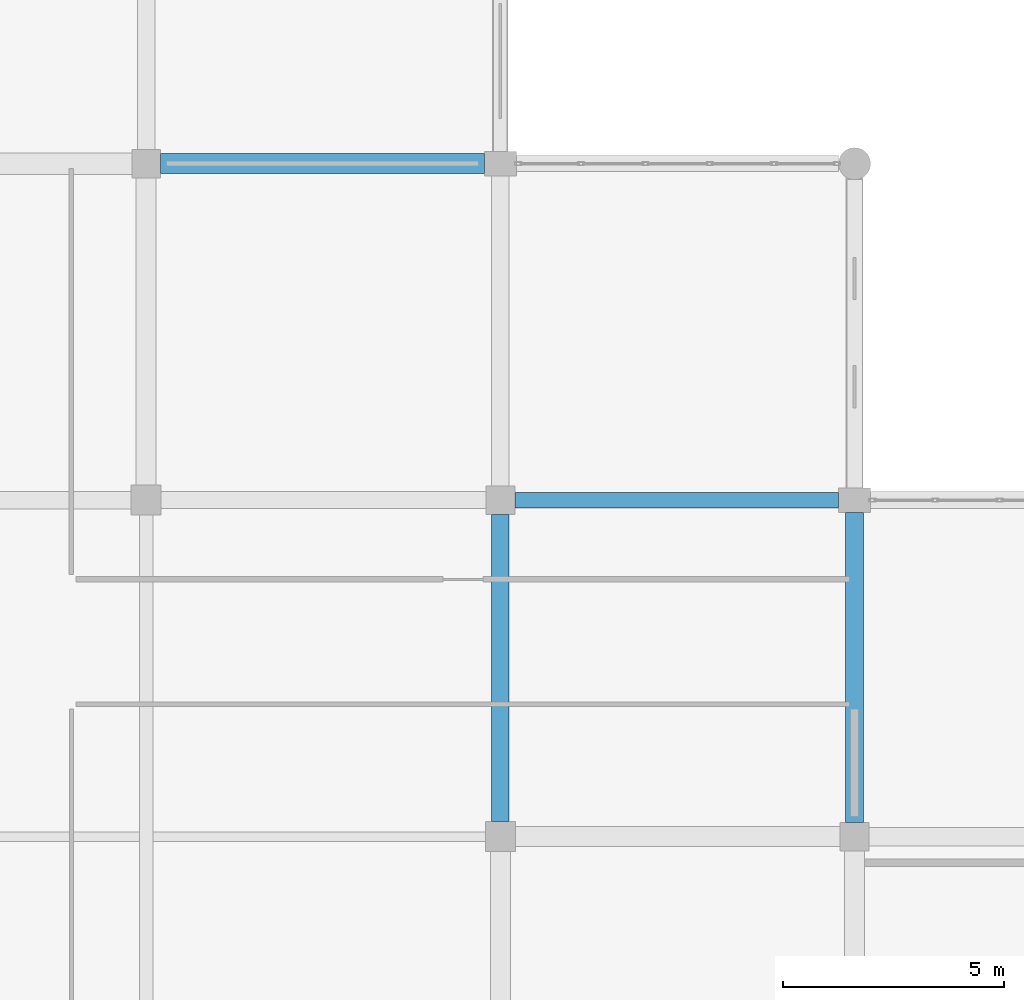
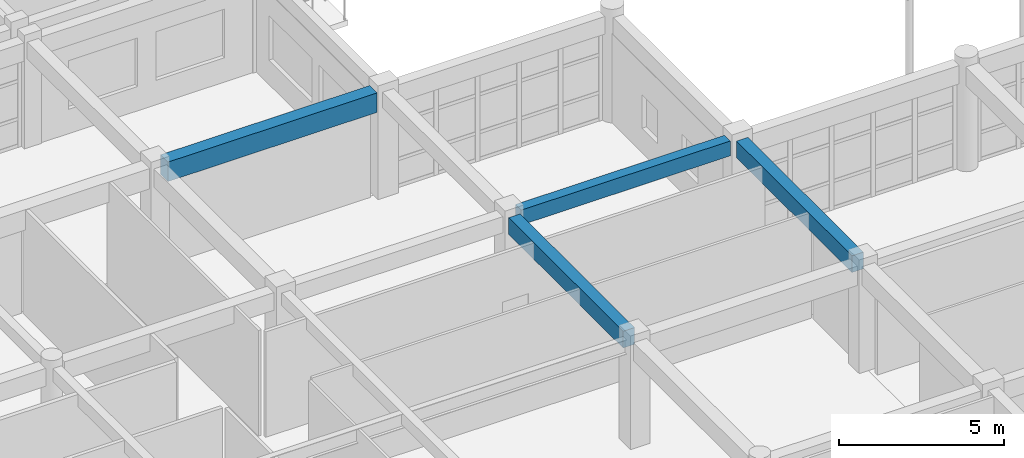
# One storey, part 43 of 195: 4 beams.
"""IFC4 building model written with IfcOpenShell, lengths in metres."""

import ifcopenshell
import ifcopenshell.guid

model = None  # the IFC model being written
_history = None  # IfcOwnerHistory: only IFC2X3 demands one
_inside = {}  # id of a spatial element -> (the spatial element, [elements in it])
_under = {}  # id of a project, library or spatial element -> (it, [spatial elements below it])
_declared = {}  # id of a project -> (the project, [libraries it declares])
_typed = {}  # id of a type object -> (the type object, [elements of that type])
_made_of = {}  # id of a material, layer set ... -> (it, [elements and type objects made of it])


def new_model(schema):
    """Start an empty IFC model of exactly this schema.

    Asked for "IFC4X3", IfcOpenShell would pick the latest addendum, in which some entities
    have other attributes; the version numbers below select the first issue.
    IFC2X3 requires an IfcOwnerHistory on every rooted entity: one is made here for all.
    """
    global model, _history
    if schema == "IFC4X3":
        model = ifcopenshell.file(schema_version=(4, 3, 0, 0))
    else:
        model = ifcopenshell.file(schema=schema)
    _inside.clear()
    _under.clear()
    _declared.clear()
    _typed.clear()
    _made_of.clear()
    _history = None
    if model.schema == "IFC2X3":
        org = make("IfcOrganization", Name="unknown")
        user = make(
            "IfcPersonAndOrganization",
            ThePerson=make("IfcPerson", FamilyName="unknown"),
            TheOrganization=org,
        )
        app = make(
            "IfcApplication",
            ApplicationDeveloper=org,
            Version="unknown",
            ApplicationFullName="unknown",
            ApplicationIdentifier="unknown",
        )
        _history = make(
            "IfcOwnerHistory",
            OwningUser=user,
            OwningApplication=app,
            ChangeAction="ADDED",
            CreationDate=0,
        )
    return model


def make(cls, **values):
    """One entity of the class cls with the attributes given. An attribute that is None is left unset."""
    return model.create_entity(
        cls, **{name: value for name, value in values.items() if value is not None}
    )


def rooted(cls, **values):
    """An entity with a GlobalId (a new one), such as an element, a storey or a relation."""
    return make(cls, GlobalId=ifcopenshell.guid.new(), OwnerHistory=_history, **values)


def si_unit(unit_type, name, prefix=None):
    """IfcSIUnit, for example si_unit("LENGTHUNIT", "METRE", prefix="MILLI")."""
    return make("IfcSIUnit", UnitType=unit_type, Prefix=prefix, Name=name)


def assignment(units):
    """IfcUnitAssignment: the units of a project."""
    return None if units is None else make("IfcUnitAssignment", Units=units)


def point(xyz):
    """IfcCartesianPoint."""
    return None if xyz is None else make("IfcCartesianPoint", Coordinates=xyz)


def direction(xyz):
    """IfcDirection."""
    return None if xyz is None else make("IfcDirection", DirectionRatios=xyz)


def frame(location, z_axis=None, x_axis=None):
    """IfcAxis2Placement3D, a coordinate frame: its origin and axes. An axis left out is left unset."""
    return make(
        "IfcAxis2Placement3D",
        Location=point(location),
        Axis=direction(z_axis),
        RefDirection=direction(x_axis),
    )


def frame_2d(location, x_axis=None):
    """IfcAxis2Placement2D, a coordinate frame in the plane: its origin and x axis."""
    return make(
        "IfcAxis2Placement2D", Location=point(location), RefDirection=direction(x_axis)
    )


def origin():
    """The frame at (0, 0, 0) with its axes left unset."""
    return frame((0.0, 0.0, 0.0))


def origin_2d():
    """The frame at (0, 0) in the plane with its x axis left unset."""
    return frame_2d((0.0, 0.0))


def place(relative_to, where):
    """IfcLocalPlacement: puts the frame where relative to a parent placement (None: the world)."""
    return make(
        "IfcLocalPlacement", PlacementRelTo=relative_to, RelativePlacement=where
    )


def context(
    kind, dimensions, precision=None, world=None, true_north=None, identifier=None
):
    """IfcGeometricRepresentationContext, for example the 3D "Model" context."""
    return make(
        "IfcGeometricRepresentationContext",
        ContextIdentifier=identifier,
        ContextType=kind,
        CoordinateSpaceDimension=dimensions,
        Precision=precision,
        WorldCoordinateSystem=world,
        TrueNorth=true_north,
    )


def subcontext(parent, identifier, kind, view, scale=None):
    """IfcGeometricRepresentationSubContext, for example "Body" below "Model"."""
    return make(
        "IfcGeometricRepresentationSubContext",
        ContextIdentifier=identifier,
        ContextType=kind,
        ParentContext=parent,
        TargetScale=scale,
        TargetView=view,
    )


def project(units=None, contexts=None):
    """IfcProject with its units and contexts."""
    return rooted(
        "IfcProject",
        Name="project",
        RepresentationContexts=contexts,
        UnitsInContext=assignment(units),
    )


def spatial(cls, under=None, at=None, **own):
    """A site, building, storey or space (cls), placed at a placement, below another one or the project."""
    s = rooted(cls, ObjectPlacement=at, **own)
    if under is not None:
        _under.setdefault(under.id(), (under, []))[1].append(s)
    return s


def profile(cls, at=None, kind="AREA", **sizes):
    """A parametric profile (cls). Its sizes go by their IFC names, for example OverallWidth=200.0."""
    return make(cls, ProfileType=kind, Position=at, **sizes)


def rectangle(**sizes):
    """IfcRectangleProfileDef."""
    return profile("IfcRectangleProfileDef", **sizes)


def extrude(swept, where, along, depth):
    """IfcExtrudedAreaSolid: the profile swept, set in the frame where, extruded along a direction by depth."""
    return make(
        "IfcExtrudedAreaSolid",
        SweptArea=swept,
        Position=where,
        ExtrudedDirection=direction(along),
        Depth=depth,
    )


def shape(context_of_items, identifier, shape_type, items):
    """IfcShapeRepresentation: the items that make up one representation, for example the "Body"."""
    return make(
        "IfcShapeRepresentation",
        ContextOfItems=context_of_items,
        RepresentationIdentifier=identifier,
        RepresentationType=shape_type,
        Items=items,
    )


def material(Name=None, Category=None):
    """IfcMaterial."""
    return make("IfcMaterial", Name=Name, Category=Category)


def material_profile(
    of_material, cross_section, Name=None, Category=None, Priority=None
):
    """IfcMaterialProfile: a cross section and its material."""
    return make(
        "IfcMaterialProfile",
        Name=Name,
        Material=of_material,
        Profile=cross_section,
        Priority=Priority,
        Category=Category,
    )


def profile_set(profiles, Name=None, composite=None):
    """IfcMaterialProfileSet."""
    return make(
        "IfcMaterialProfileSet",
        Name=Name,
        MaterialProfiles=profiles,
        CompositeProfile=composite,
    )


def made_of(thing, what):
    """Note that an element or type object is made of a material, layer set ...; save() writes the relation."""
    if what is not None:
        _made_of.setdefault(what.id(), (what, []))[1].append(thing)
    return thing


def type_object(cls, material=None, **own):
    """A type object (cls), such as IfcWallType, which elements share."""
    return made_of(rooted(cls, **own), material)


def element(
    cls,
    number,
    at=None,
    inside=None,
    cuts=None,
    type_object=None,
    material=None,
    context=None,
    identifier="Body",
    shape_type=None,
    held_by="IfcProductDefinitionShape",
    body=None,
    shapes=None,
    **own,
):
    """One element of the class cls, such as IfcWall. Its Tag is "e" and its number.

    at: its placement. inside: the storey or other place that contains it. cuts: it is an
    opening in that element (IfcRelVoidsElement). A single representation is given by context,
    identifier, shape_type and body (its items); several are given by shapes. held_by: the class
    of the entity that holds the representations. save() writes the other relations.
    """
    e = rooted(cls, Tag="e%d" % number, ObjectPlacement=at, **own)
    if body is not None:
        shapes = [shape(context, identifier, shape_type, body)]
    if shapes is not None:
        e.Representation = make(held_by, Representations=shapes)
    if inside is not None:
        _inside.setdefault(inside.id(), (inside, []))[1].append(e)
    if cuts is not None:
        rooted(
            "IfcRelVoidsElement", RelatingBuildingElement=cuts, RelatedOpeningElement=e
        )
    if type_object is not None:
        _typed.setdefault(type_object.id(), (type_object, []))[1].append(e)
    return made_of(e, material)


def aggregate(whole, parts):
    """IfcRelAggregates: a whole, such as a stair, and the parts it consists of."""
    return rooted("IfcRelAggregates", RelatingObject=whole, RelatedObjects=parts)


def save(model, path):
    """Write the relations noted so far, then the file.

    IfcRelAggregates (storeys below a building ...), IfcRelContainedInSpatialStructure (elements
    in a storey), IfcRelDefinesByType, IfcRelAssociatesMaterial and IfcRelDeclares: one each for
    every whole, place, type object, material and project.
    """
    for whole, parts in _under.values():
        aggregate(whole, parts)
    for where, things in _inside.values():
        rooted(
            "IfcRelContainedInSpatialStructure",
            RelatedElements=things,
            RelatingStructure=where,
        )
    for kind, things in _typed.values():
        rooted("IfcRelDefinesByType", RelatedObjects=things, RelatingType=kind)
    for what, things in _made_of.values():
        rooted("IfcRelAssociatesMaterial", RelatedObjects=things, RelatingMaterial=what)
    for by, libraries in _declared.values():
        rooted("IfcRelDeclares", RelatingContext=by, RelatedDefinitions=libraries)
    model.write(path)


model = new_model("IFC4")

# Units and contexts
model_context = context("Model", 3, precision=1e-05, world=origin(), true_north=direction((0.0, 1.0)))
body_context = subcontext(model_context, "Body", "Model", "MODEL_VIEW")
ifc_project = project(units=[si_unit("LENGTHUNIT", "METRE"), si_unit("AREAUNIT", "SQUARE_METRE"), si_unit("VOLUMEUNIT", "CUBIC_METRE"), si_unit("PLANEANGLEUNIT", "RADIAN"), si_unit("MASSUNIT", "GRAM", prefix="KILO")], contexts=[model_context])

# Site, building, storey
site_placement = place(None, origin())
site = spatial("IfcSite", under=ifc_project, at=site_placement, CompositionType="ELEMENT")
building_placement = place(site_placement, origin())
building = spatial("IfcBuilding", under=site, at=building_placement, Name="Kharva Crest Polytechnic", CompositionType="ELEMENT")
storey_placement = place(building_placement, frame((0.0, 0.0, 9.0)))
storey = spatial("IfcBuildingStorey", under=building, at=storey_placement, Name="L02", CompositionType="ELEMENT", Elevation=9.0)

# Beams
ifc_material = material(Name="Concrete C35/45", Category="concrete")
ifc_material_profile_1 = material_profile(ifc_material, rectangle(XDim=0.35009765625, YDim=0.550048828125, at=origin_2d()), Name="RECT 350 X 550")
ifc_profile_set_1 = profile_set([ifc_material_profile_1], Name="Concrete C35/45")
beam_type_1 = type_object("IfcBeamType", Name="BM-RC-350X550", PredefinedType="BEAM", material=ifc_profile_set_1)
beam_1_placement = place(storey_placement, frame((48.324951171875, 22.800048828125, 3.64501953125), z_axis=(1.0, 0.0, 0.0), x_axis=(0.0, 1.0, 0.0)))
element("IfcBeam", 1, at=beam_1_placement, inside=storey, type_object=beam_type_1, Name="L02 Beam D/7-8", PredefinedType="BEAM", context=body_context, shape_type="SweptSolid", body=[
    extrude(rectangle(XDim=0.35009765625, YDim=0.550048828125, at=origin_2d()), origin(), (0.0, 0.0, 1.0), 7.31494140625),
])
ifc_material_profile_2 = material_profile(ifc_material, rectangle(XDim=0.39990234375, YDim=0.6201171875, at=origin_2d()), Name="RECT 400 X 620")
ifc_profile_set_2 = profile_set([ifc_material_profile_2], Name="Concrete C35/45")
beam_type_2 = type_object("IfcBeamType", Name="BM-RC-400X620", PredefinedType="BEAM", material=ifc_profile_set_2)
beam_2_placement = place(storey_placement, frame((48.0, 15.5400390625, 3.610107421875), z_axis=(0.0, 1.0, 0.0), x_axis=(-1.0, 0.0, 0.0)))
element("IfcBeam", 2, at=beam_2_placement, inside=storey, type_object=beam_type_2, Name="L02 Girder 7/C-D", PredefinedType="BEAM", context=body_context, shape_type="SweptSolid", body=[
    extrude(rectangle(XDim=0.39990234375, YDim=0.6201171875, at=origin_2d()), origin(), (0.0, 0.0, 1.0), 6.93505859375),
])
beam_3_placement = place(storey_placement, frame((56.0, 15.52490234375, 3.610107421875), z_axis=(0.0, 1.0, 0.0), x_axis=(-1.0, 0.0, 0.0)))
element("IfcBeam", 3, at=beam_3_placement, inside=storey, type_object=beam_type_2, Name="L02 Girder 8/C-D", PredefinedType="BEAM", context=body_context, shape_type="SweptSolid", body=[
    extrude(rectangle(XDim=0.39990234375, YDim=0.6201171875, at=origin_2d()), origin(), (0.0, 0.0, 1.0), 7.0),
])
ifc_material_profile_3 = material_profile(ifc_material, rectangle(XDim=0.449951171875, YDim=0.719970703125, at=origin_2d()), Name="RECT 450 X 720")
ifc_profile_set_3 = profile_set([ifc_material_profile_3], Name="Concrete C35/45")
beam_type_3 = type_object("IfcBeamType", Name="BM-RC-450X720", PredefinedType="BEAM", material=ifc_profile_set_3)
beam_4_placement = place(storey_placement, frame((40.324951171875, 30.39990234375, 3.56005859375), z_axis=(1.0, 0.0, 0.0), x_axis=(0.0, 1.0, 0.0)))
element("IfcBeam", 4, at=beam_4_placement, inside=storey, type_object=beam_type_3, Name="L02 Beam E/6-7", PredefinedType="BEAM", context=body_context, shape_type="SweptSolid", body=[
    extrude(rectangle(XDim=0.449951171875, YDim=0.719970703125, at=origin_2d()), origin(), (0.0, 0.0, 1.0), 7.31494140625),
])

save(model, "model.ifc")
